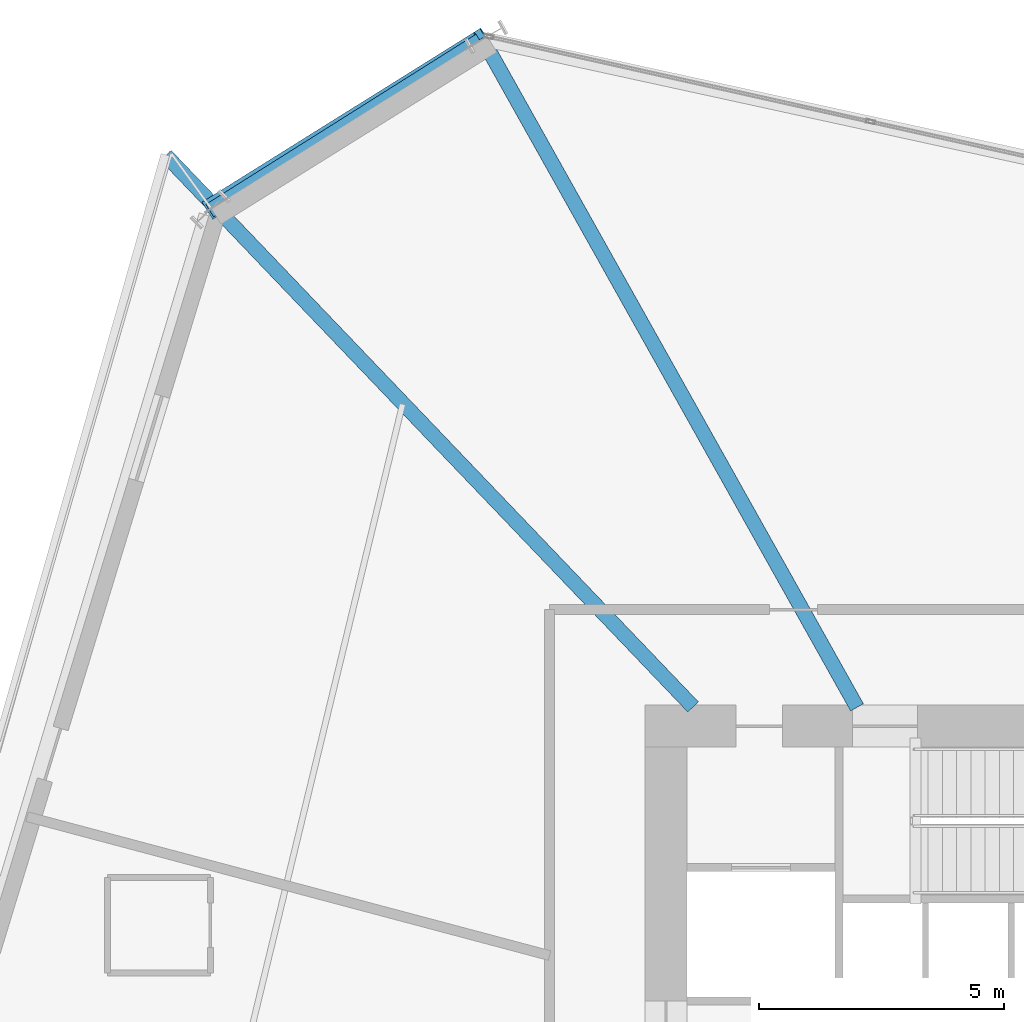
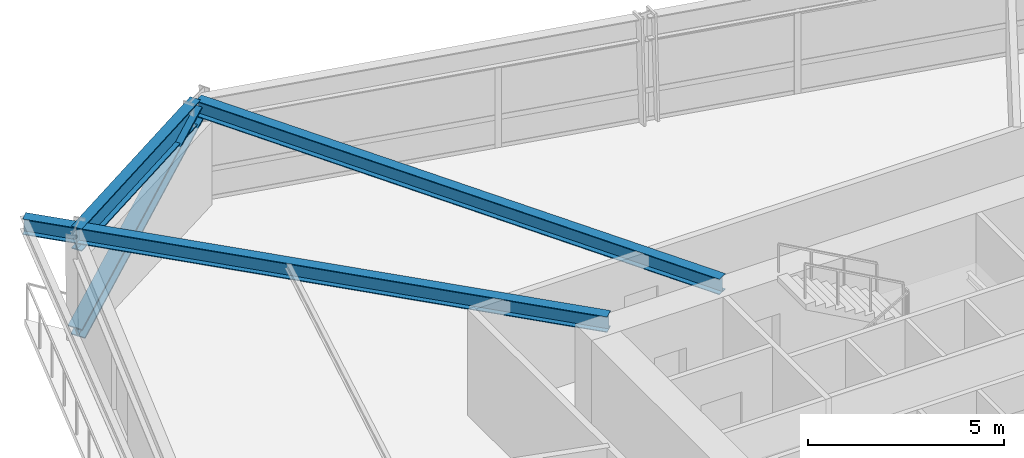
# One storey, part 9 of 24: 3 beams, 1 member.
"""IFC4 building model written with IfcOpenShell, lengths in metres."""

from ifc_helpers import new_model, si_unit, direction, frame, origin, origin_2d, place, context, subcontext, project, spatial, i_section, extrude, source, transform, mapped, material, material_profile, profile_set, type_object, element, save


model = new_model("IFC4")

# Units and contexts
model_context = context("Model", 3, precision=1e-05, world=origin(), true_north=direction((0.0, 1.0)))
body_context = subcontext(model_context, "Body", "Model", "MODEL_VIEW")
ifc_project = project(units=[si_unit("LENGTHUNIT", "METRE"), si_unit("AREAUNIT", "SQUARE_METRE"), si_unit("VOLUMEUNIT", "CUBIC_METRE"), si_unit("PLANEANGLEUNIT", "RADIAN"), si_unit("MASSUNIT", "GRAM", prefix="KILO")], contexts=[model_context])

# Site, building, storey
site_placement = place(None, origin())
site = spatial("IfcSite", under=ifc_project, at=site_placement, CompositionType="ELEMENT")
building_placement = place(site_placement, origin())
building = spatial("IfcBuilding", under=site, at=building_placement, Name="Olszyna Solenne Hotel", CompositionType="ELEMENT")
storey_placement = place(building_placement, frame((0.0, 0.0, 36.39990234375)))
storey = spatial("IfcBuildingStorey", under=building, at=storey_placement, Name="L08", CompositionType="ELEMENT", Elevation=36.39990234375)

# Beams
ifc_material_1 = material(Name="Steel S355J2", Category="steel")
ifc_material_profile_1 = material_profile(ifc_material_1, i_section(OverallWidth=0.300048828125, OverallDepth=0.699951171875, WebThickness=0.01708984375, FlangeThickness=0.031982421875, at=origin_2d()), Name="HEB 700", Category="load-bearing")
ifc_profile_set_1 = profile_set([ifc_material_profile_1], Name="Steel S355J2")
beam_type_1 = type_object("IfcBeamType", Name="BM-S1", PredefinedType="BEAM", material=ifc_profile_set_1)
shared_shape_1 = source(origin(), body_context, "Body", "SweptSolid", [
    extrude(i_section(OverallWidth=0.300048828125, OverallDepth=0.699951171875, WebThickness=0.01708984375, FlangeThickness=0.031982421875, at=origin_2d()), origin(), (0.0, 0.0, 1.0), 6.51123046875),
])
beam_1_placement = place(storey_placement, frame((25.881103515625, 48.1044921875, 2.9501953125), z_axis=(-0.846162703506, -0.532924646826, 0.0), x_axis=(0.532924646826, -0.846162703506, 0.0)))
element("IfcBeam", 1, at=beam_1_placement, inside=storey, type_object=beam_type_1, Name="Perimeter spandrel beam BM-S1 B-L08-0264", PredefinedType="BEAM", context=body_context, shape_type="MappedRepresentation", body=[
    mapped(shared_shape_1, transform((0.0, 0.0, 0.0), x_axis=(1.0, 0.0, 0.0), y_axis=(0.0, 1.0, 0.0), z_axis=(0.0, 0.0, 1.0), scale=1.0)),
])
ifc_material_profile_2 = material_profile(ifc_material_1, i_section(OverallWidth=0.300048828125, OverallDepth=0.489990234375, WebThickness=0.011962890625, FlangeThickness=0.02294921875, at=origin_2d()), Name="HEA 500", Category="load-bearing")
ifc_profile_set_2 = profile_set([ifc_material_profile_2], Name="Steel S355J2")
beam_type_2 = type_object("IfcBeamType", Name="BM-G1", PredefinedType="BEAM", material=ifc_profile_set_2)
shared_shape_2 = source(origin(), body_context, "Body", "SweptSolid", [
    extrude(i_section(OverallWidth=0.300048828125, OverallDepth=0.489990234375, WebThickness=0.011962890625, FlangeThickness=0.02294921875, at=origin_2d()), origin(), (0.0, 0.0, 1.0), 15.56396484375),
])
beam_2_placement = place(storey_placement, frame((25.961181640625, 48.083984375, 3.05517578125), z_axis=(0.488844088284, -0.872371169485, 0.0), x_axis=(0.872371169485, 0.488844088284, 0.0)))
element("IfcBeam", 2, at=beam_2_placement, inside=storey, type_object=beam_type_2, Name="Radial floor girder BM-G1 B-L08-0275", PredefinedType="BEAM", context=body_context, shape_type="MappedRepresentation", body=[
    mapped(shared_shape_2, transform((0.0, 0.0, 0.0), x_axis=(1.0, 0.0, 0.0), y_axis=(0.0, 1.0, 0.0), z_axis=(0.0, 0.0, 1.0), scale=1.0)),
])
shared_shape_3 = source(origin(), body_context, "Body", "SweptSolid", [
    extrude(i_section(OverallWidth=0.300048828125, OverallDepth=0.489990234375, WebThickness=0.011962890625, FlangeThickness=0.02294921875, at=origin_2d()), origin(), (0.0, 0.0, 1.0), 15.55712890625),
])
beam_3_placement = place(storey_placement, frame((19.477783203125, 45.760009765625, 3.05517578125), z_axis=(0.690998850515, -0.722855856023, 0.0), x_axis=(0.722855856023, 0.690998850515, 0.0)))
element("IfcBeam", 3, at=beam_3_placement, inside=storey, type_object=beam_type_2, Name="Radial floor girder BM-G1 B-L08-0276", PredefinedType="BEAM", context=body_context, shape_type="MappedRepresentation", body=[
    mapped(shared_shape_3, transform((0.0, 0.0, 0.0), x_axis=(1.0, 0.0, 0.0), y_axis=(0.0, 1.0, 0.0), z_axis=(0.0, 0.0, 1.0), scale=1.0)),
])

# Member
ifc_material_2 = material(Name="Steel S460M", Category="steel")
ifc_material_profile_3 = material_profile(ifc_material_2, i_section(OverallWidth=0.412109375, OverallDepth=0.43505859375, WebThickness=0.031494140625, FlangeThickness=0.050048828125, at=origin_2d()), Name="HD 400x463", Category="load-bearing")
ifc_profile_set_3 = profile_set([ifc_material_profile_3], Name="Steel S460M")
member_type = type_object("IfcMemberType", Name="BR-T1", PredefinedType="BRACE", material=ifc_profile_set_3)
shared_shape_4 = source(origin(), body_context, "Body", "SweptSolid", [
    extrude(i_section(OverallWidth=0.412109375, OverallDepth=0.43505859375, WebThickness=0.031494140625, FlangeThickness=0.050048828125, at=origin_2d()), origin(), (0.0, 0.0, 1.0), 7.14111328125),
])
member_placement = place(storey_placement, frame((20.399658203125, 44.679443359375, 0.010009765625), z_axis=(0.774698635814, 0.484101177543, 0.406802253643), x_axis=(-0.529931658241, 0.848040351395, 0.0)))
element("IfcMember", 4, at=member_placement, inside=storey, type_object=member_type, Name="Perimeter braced-tube diagonal BR-T1 BR-L08-2", PredefinedType="BRACE", context=body_context, shape_type="MappedRepresentation", body=[
    mapped(shared_shape_4, transform((0.0, 0.0, 0.0), x_axis=(1.0, 0.0, 0.0), y_axis=(0.0, 1.0, 0.0), z_axis=(0.0, 0.0, 1.0), scale=1.0)),
])

save(model, "model.ifc")
